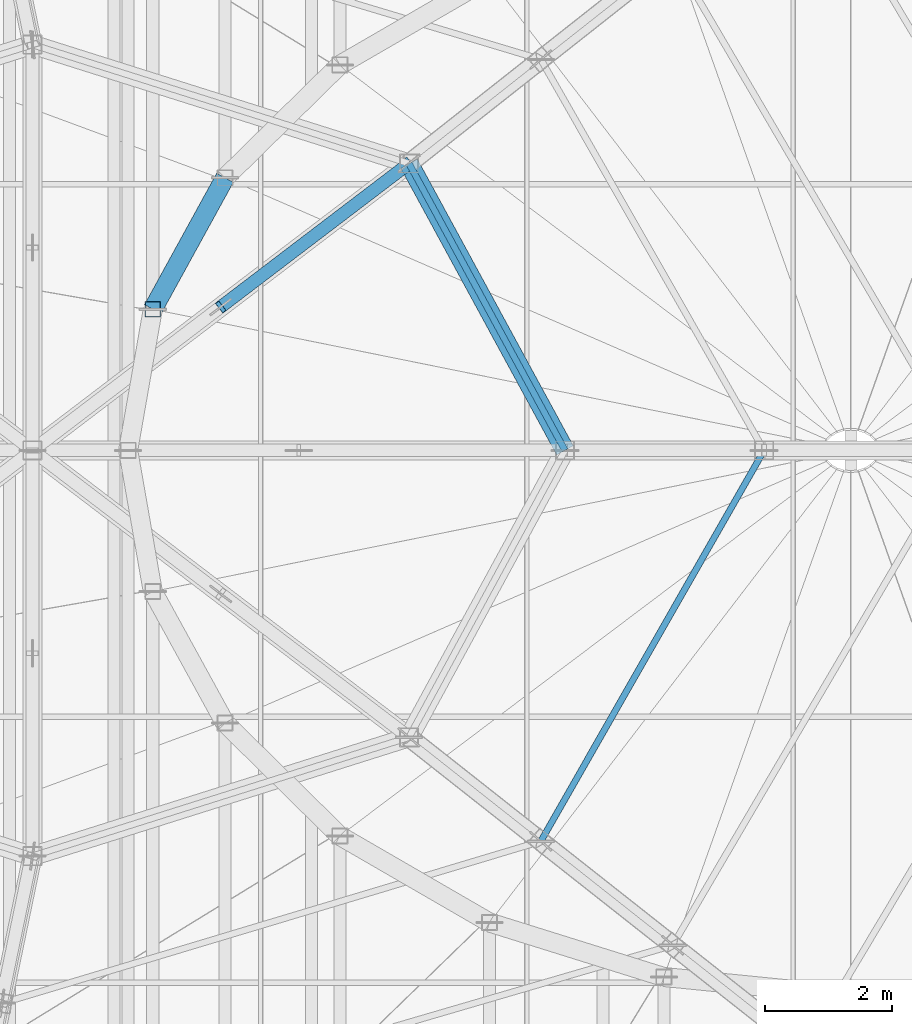
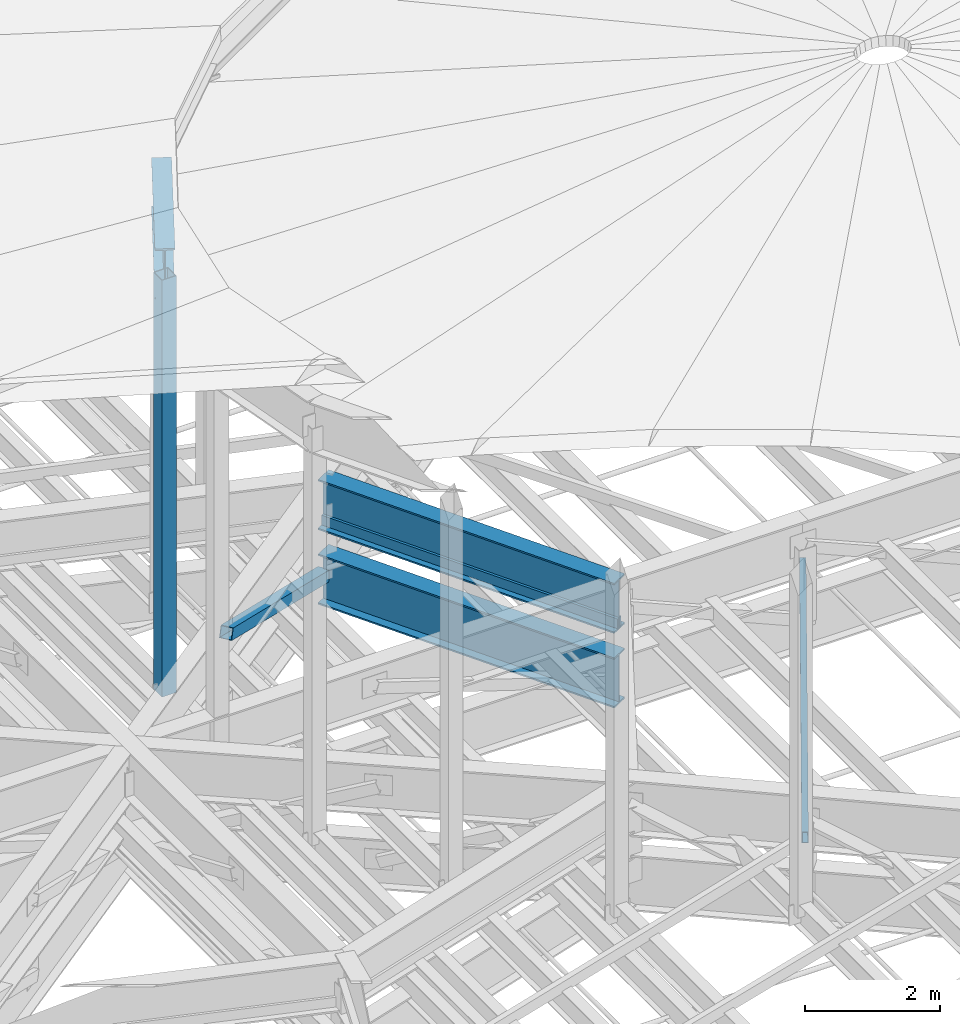
# One storey, part 67 of 184: 4 members, 3 beams.
"""IFC4 building model written with IfcOpenShell, lengths in metres."""

from ifc_helpers import new_model, si_unit, direction, frame, origin, origin_2d, place, context, subcontext, project, spatial, hollow_rectangle, i_section, extrude, material, material_profile, profile_set, type_object, element, save


model = new_model("IFC4")

# Units and contexts
model_context = context("Model", 3, precision=1e-05, world=origin(), true_north=direction((0.0, 1.0)))
body_context = subcontext(model_context, "Body", "Model", "MODEL_VIEW")
ifc_project = project(units=[si_unit("LENGTHUNIT", "METRE"), si_unit("AREAUNIT", "SQUARE_METRE"), si_unit("VOLUMEUNIT", "CUBIC_METRE"), si_unit("PLANEANGLEUNIT", "RADIAN"), si_unit("MASSUNIT", "GRAM", prefix="KILO")], contexts=[model_context])

# Site, building, storey
site_placement = place(None, origin())
site = spatial("IfcSite", under=ifc_project, at=site_placement, CompositionType="ELEMENT")
building_placement = place(site_placement, origin())
building = spatial("IfcBuilding", under=site, at=building_placement, Name="Kalgoora Escarpment Arena", CompositionType="ELEMENT")
storey_placement = place(building_placement, frame((0.0, 0.0, 27.60009765625)))
storey = spatial("IfcBuildingStorey", under=building, at=storey_placement, Name="Roof Level", CompositionType="ELEMENT", Elevation=27.60009765625)

# Beams
ifc_material_1 = material(Name="Structural steel Grade 350 (350 MPa)", Category="steel")
ifc_material_profile_1 = material_profile(ifc_material_1, i_section(OverallWidth=0.300048828125, OverallDepth=0.909912109375, WebThickness=0.011962890625, FlangeThickness=0.028076171875, at=origin_2d()))
ifc_profile_set_1 = profile_set([ifc_material_profile_1], Name="Structural steel Grade 350 (350 MPa)")
beam_type = type_object("IfcBeamType", Name="BM-HUB-RING", PredefinedType="USERDEFINED", material=ifc_profile_set_1)
for number, where, z_axis, x_axis, name in (
    (1, (105.60009765625, 64.0, -1.60009765625), (-0.477662852258, 0.878543225785, 0.0), (-0.878543225785, -0.477662852258, 0.0), "Central ROOF TRUSS hub bottom ring 1"),
    (2, (105.60009765625, 64.0, -0.25), (-0.477662852258, 0.878543225785, 0.0), (-0.878543225785, -0.477662852258, 0.0), "Central ROOF TRUSS hub top ring 1"),
):
    element("IfcBeam", number, at=place(storey_placement, frame(where, z_axis=z_axis, x_axis=x_axis)), inside=storey, type_object=beam_type, Name=name, ObjectType="GIRDER", PredefinedType="USERDEFINED", context=body_context, shape_type="SweptSolid", body=[
        extrude(i_section(OverallWidth=0.300048828125, OverallDepth=0.909912109375, WebThickness=0.011962890625, FlangeThickness=0.028076171875, at=origin_2d()), origin(), (0.0, 0.0, 1.0), 5.151123046875),
    ])
beam_placement = place(storey_placement, frame((100.2373046875, 68.300048828125, 6.64990234375), z_axis=(-0.481300781759, -0.876555507357, 0.0), x_axis=(0.876555507357, -0.481300781759, 0.0)))
element("IfcBeam", 3, at=beam_placement, inside=storey, type_object=beam_type, Name="Crown oculus tension RING BEAM chord 11", ObjectType="GIRDER", PredefinedType="USERDEFINED", context=body_context, shape_type="SweptSolid", body=[
    extrude(i_section(OverallWidth=0.300048828125, OverallDepth=0.909912109375, WebThickness=0.011962890625, FlangeThickness=0.028076171875, at=origin_2d()), origin(), (0.0, 0.0, 1.0), 2.3662109375),
])

# Members
ifc_material_2 = material(Name="Structural steel C450 (450 MPa)", Category="steel")
ifc_material_profile_2 = material_profile(ifc_material_2, hollow_rectangle(XDim=0.25, YDim=0.25, WallThickness=0.012451171875, at=origin_2d()))
ifc_profile_set_2 = profile_set([ifc_material_profile_2], Name="Structural steel C450 (450 MPa)")
member_type_1 = type_object("IfcMemberType", Name="MEM-PETAL-POST", PredefinedType="POST", material=ifc_profile_set_2)
member_1_placement = place(storey_placement, frame((99.098388671875, 66.225830078125, -0.900146484375), z_axis=(0.0, 0.0, 1.0), x_axis=(1.0, 0.0, 0.0)))
element("IfcMember", 4, at=member_1_placement, inside=storey, type_object=member_type_1, Name="Crown dome vertical post 12", PredefinedType="POST", context=body_context, shape_type="SweptSolid", body=[
    extrude(hollow_rectangle(XDim=0.25, YDim=0.25, WallThickness=0.012451171875, at=origin_2d()), origin(), (0.0, 0.0, 1.0), 7.550048828125),
])
ifc_material_3 = material(Name="Structural steel C350 (350 MPa)", Category="steel")
ifc_material_profile_3 = material_profile(ifc_material_3, hollow_rectangle(XDim=0.10009765625, YDim=0.199951171875, WallThickness=0.009033203125, at=origin_2d()))
ifc_profile_set_3 = profile_set([ifc_material_profile_3], Name="Structural steel C350 (350 MPa)")
member_type_2 = type_object("IfcMemberType", Name="MEM-PURLIN-RHS", PredefinedType="PURLIN", material=ifc_profile_set_3)
member_2_placement = place(storey_placement, frame((105.219482421875, 57.833984375, -0.610107421875), z_axis=(0.495827856929, 0.86842082903, 0.0), x_axis=(-0.86842082903, 0.495827856929, 0.0)))
element("IfcMember", 5, at=member_2_placement, inside=storey, type_object=member_type_2, Name="Roof circumferential purlin ring 10 sector 8", PredefinedType="PURLIN", context=body_context, shape_type="SweptSolid", body=[
    extrude(hollow_rectangle(XDim=0.10009765625, YDim=0.199951171875, WallThickness=0.009033203125, at=origin_2d()), origin(), (0.0, 0.0, 1.0), 7.100341796875),
])
member_3_placement = place(storey_placement, frame((105.60009765625, 64.0, -0.60009765625), z_axis=(-0.477662852258, 0.878543225785, 0.0), x_axis=(-0.878543225785, -0.477662852258, 0.0)))
element("IfcMember", 6, at=member_3_placement, inside=storey, type_object=member_type_2, Name="Roof circumferential purlin ring 11 sector 1", PredefinedType="PURLIN", context=body_context, shape_type="SweptSolid", body=[
    extrude(hollow_rectangle(XDim=0.10009765625, YDim=0.199951171875, WallThickness=0.009033203125, at=origin_2d()), origin(), (0.0, 0.0, 1.0), 5.151123046875),
])
ifc_material_4 = material(Name="Structural steel C350 (350 MPa)", Category="steel")
ifc_material_profile_4 = material_profile(ifc_material_4, hollow_rectangle(XDim=0.199951171875, YDim=0.199951171875, WallThickness=0.009033203125, at=origin_2d()))
ifc_profile_set_4 = profile_set([ifc_material_profile_4], Name="Structural steel C350 (350 MPa)")
member_type_3 = type_object("IfcMemberType", Name="MEM-TRUSS-DIAG", PredefinedType="BRACE", material=ifc_profile_set_4)
member_4_placement = place(storey_placement, frame((103.1396484375, 68.525390625, -1.60009765625), z_axis=(-0.748019895636, -0.569931633735, 0.340064947621), x_axis=(0.606051096023, -0.795425715582, 0.0)))
element("IfcMember", 7, at=member_4_placement, inside=storey, type_object=member_type_3, Name="Central ROOF TRUSS hub web diagonal 2-1", PredefinedType="BRACE", context=body_context, shape_type="SweptSolid", body=[
    extrude(hollow_rectangle(XDim=0.199951171875, YDim=0.199951171875, WallThickness=0.009033203125, at=origin_2d()), origin(), (0.0, 0.0, 1.0), 3.97021484375),
])

save(model, "model.ifc")
